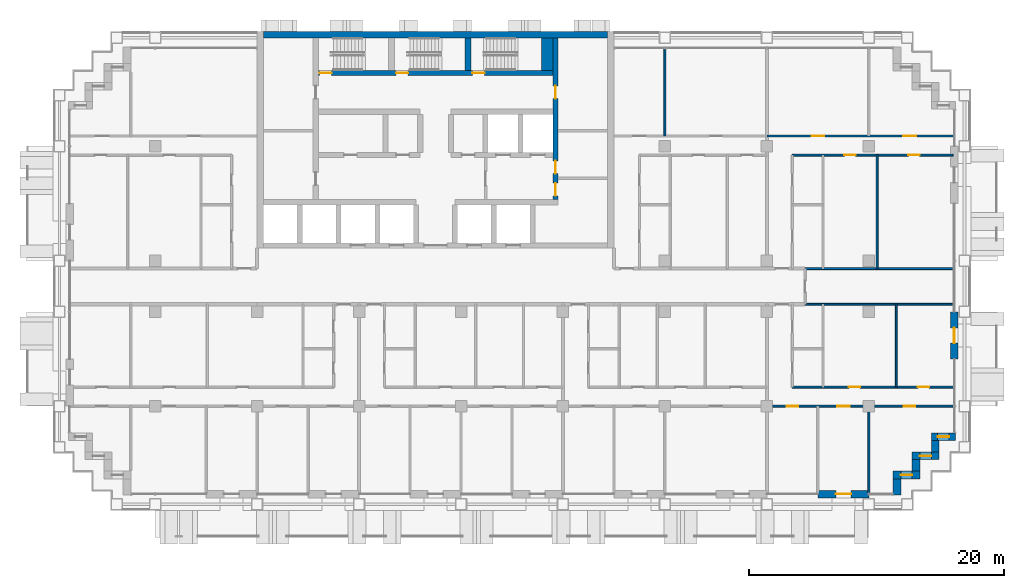
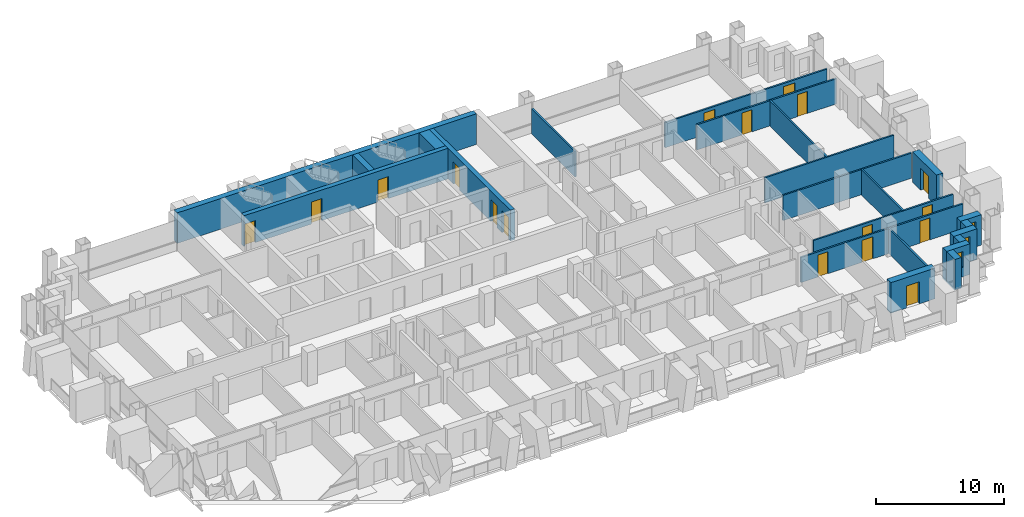
# One storey, part 13 of 18: 23 walls, 17 doors, 3 windows, 20 openings.
"""IFC4 building model written with IfcOpenShell, lengths in metres."""

from ifc_helpers import new_model, si_unit, direction, frame, frame_2d, origin, place, context, subcontext, project, spatial, rectangle, extrude, material, layer, layer_set, type_object, element, fill, save


model = new_model("IFC4")

# Units and contexts
model_context = context("Model", 3, precision=1e-05, world=origin(), true_north=direction((0.0, 1.0)))
body_context = subcontext(model_context, "Body", "Model", "MODEL_VIEW")
ifc_project = project(units=[si_unit("LENGTHUNIT", "METRE"), si_unit("AREAUNIT", "SQUARE_METRE"), si_unit("VOLUMEUNIT", "CUBIC_METRE"), si_unit("PLANEANGLEUNIT", "RADIAN"), si_unit("MASSUNIT", "GRAM", prefix="KILO")], contexts=[model_context])

# Site, building, storey
site_placement = place(None, origin())
site = spatial("IfcSite", under=ifc_project, at=site_placement, CompositionType="ELEMENT")
building_placement = place(site_placement, origin())
building = spatial("IfcBuilding", under=site, at=building_placement, Name="Vidyagriha Tower", CompositionType="ELEMENT")
storey_placement = place(building_placement, frame((0.0, 0.0, 80.699951171875)))
storey = spatial("IfcBuildingStorey", under=building, at=storey_placement, Name="L20", CompositionType="ELEMENT", Elevation=80.699951171875)

# Wall, opening, door
ifc_material_1 = material(Name="Precast concrete C40/50 with brick facing", Category="concrete")
ifc_layer_1 = layer(ifc_material_1, 0.60009765625)
ifc_layer_set_1 = layer_set([ifc_layer_1], Name="Precast concrete C40/50 with brick facing")
wall_type_1 = type_object("IfcWallType", Name="Brick-faced precast wall 600", PredefinedType="STANDARD", material=ifc_layer_set_1)
wall_1_placement = place(storey_placement, frame((30.0, -16.300048828125, 0.0)))
wall_1 = element("IfcWall", 1, at=wall_1_placement, inside=storey, type_object=wall_type_1, Name="Brick door bay wall L20 R23.15", PredefinedType="STANDARD", context=body_context, shape_type="SweptSolid", body=[
    extrude(rectangle(XDim=4.0, YDim=0.60009765625, at=frame_2d((2.0, 0.0))), origin(), (0.0, 0.0, 1.0), 2.920166015625),
])
opening_1_placement = place(wall_1_placement, frame((1.39990234375, 0.0, 0.0)))
opening_1 = element("IfcOpeningElement", 2, at=opening_1_placement, cuts=wall_1, Name="Opening D20-82", PredefinedType="OPENING", context=body_context, shape_type="SweptSolid", body=[
    extrude(rectangle(XDim=1.199951171875, YDim=2.10009765625, at=frame_2d((0.60009765625, 1.050048828125))), frame((0.0, 0.31005859375, 0.0), z_axis=(0.0, -1.0, 0.0), x_axis=(1.0, 0.0, 0.0)), (0.0, 0.0, 1.0), 0.6201171875),
])
ifc_material_2 = material(Name="Aluminium framed glazed sliding door", Category="aluminium")
door_type_1 = type_object("IfcDoorType", Name="Balcony sliding door 1200x2100", OperationType="NOTDEFINED", PredefinedType="DOOR", material=ifc_material_2)
door_1_placement = place(opening_1_placement, origin())
door_1 = element("IfcDoor", 3, at=door_1_placement, inside=storey, type_object=door_type_1, Name="Door D20-82", OperationType="SLIDING_TO_LEFT", OverallHeight=2.10009765625, OverallWidth=1.199951171875, PredefinedType="DOOR", context=body_context, shape_type="SweptSolid", body=[
    extrude(rectangle(XDim=1.199951171875, YDim=2.10009765625, at=frame_2d((0.60009765625, 1.050048828125))), frame((0.0, 0.02490234375, 0.0), z_axis=(0.0, -1.0, 0.0), x_axis=(1.0, 0.0, 0.0)), (0.0, 0.0, 1.0), 0.050048828125),
])
fill(opening_1, door_1)

# Wall
wall_2_placement = place(storey_placement, frame((36.199951171875, -16.3798828125, 0.0), z_axis=(0.0, 0.0, 1.0), x_axis=(0.0, 1.0, 0.0)))
element("IfcWall", 4, at=wall_2_placement, inside=storey, type_object=wall_type_1, Name="Stepped corner wall L20 R24", PredefinedType="STANDARD", context=body_context, shape_type="SweptSolid", body=[
    extrude(rectangle(XDim=1.27978515625, YDim=0.60009765625, at=frame_2d((0.639892578125, 0.0))), origin(), (0.0, 0.0, 1.0), 2.920166015625),
])

# Wall, opening, window
wall_3_placement = place(storey_placement, frame((35.89990234375, -14.800048828125, 0.0)))
wall_3 = element("IfcWall", 5, at=wall_3_placement, inside=storey, type_object=wall_type_1, Name="Stepped corner wall L20 R25", PredefinedType="STANDARD", context=body_context, shape_type="SweptSolid", body=[
    extrude(rectangle(XDim=2.10009765625, YDim=0.60009765625, at=frame_2d((1.050048828125, 0.0))), origin(), (0.0, 0.0, 1.0), 2.920166015625),
])
opening_2_placement = place(wall_3_placement, frame((0.60009765625, 0.0, 0.89990234375)))
opening_2 = element("IfcOpeningElement", 6, at=opening_2_placement, cuts=wall_3, Name="Opening WN1", PredefinedType="OPENING", context=body_context, shape_type="SweptSolid", body=[
    extrude(rectangle(XDim=0.89990234375, YDim=1.5, at=frame_2d((0.449951171875, 0.75))), frame((0.0, 0.31005859375, 0.0), z_axis=(0.0, -1.0, 0.0), x_axis=(1.0, 0.0, 0.0)), (0.0, 0.0, 1.0), 0.6201171875),
])
ifc_material_3 = material(Name="Aluminium and glass window", Category="aluminium")
window_type = type_object("IfcWindowType", Name="Reveal window 900x1500", PartitioningType="NOTDEFINED", PredefinedType="WINDOW", material=ifc_material_3)
window_1_placement = place(opening_2_placement, origin())
window_1 = element("IfcWindow", 7, at=window_1_placement, inside=storey, type_object=window_type, Name="Reveal window L20 R25", OverallHeight=1.5, OverallWidth=0.89990234375, PartitioningType="SINGLE_PANEL", PredefinedType="WINDOW", context=body_context, shape_type="SweptSolid", body=[
    extrude(rectangle(XDim=0.89990234375, YDim=1.5, at=frame_2d((0.449951171875, 0.75))), frame((0.0, 0.030029296875, 0.0), z_axis=(0.0, -1.0, 0.0), x_axis=(1.0, 0.0, 0.0)), (0.0, 0.0, 1.0), 0.06005859375),
])
fill(opening_2, window_1)

# Wall
wall_4_placement = place(storey_placement, frame((37.699951171875, -14.5, 0.0), z_axis=(0.0, 0.0, 1.0), x_axis=(0.0, 1.0, 0.0)))
element("IfcWall", 8, at=wall_4_placement, inside=storey, type_object=wall_type_1, Name="Stepped corner wall L20 R26", PredefinedType="STANDARD", context=body_context, shape_type="SweptSolid", body=[
    extrude(rectangle(XDim=0.89990234375, YDim=0.60009765625, at=frame_2d((0.449951171875, 0.0))), origin(), (0.0, 0.0, 1.0), 2.920166015625),
])

# Wall, opening, window
wall_5_placement = place(storey_placement, frame((37.39990234375, -13.300048828125, 0.0)))
wall_5 = element("IfcWall", 9, at=wall_5_placement, inside=storey, type_object=wall_type_1, Name="Stepped corner wall L20 R27", PredefinedType="STANDARD", context=body_context, shape_type="SweptSolid", body=[
    extrude(rectangle(XDim=2.10009765625, YDim=0.60009765625, at=frame_2d((1.050048828125, 0.0))), origin(), (0.0, 0.0, 1.0), 2.920166015625),
])
opening_3_placement = place(wall_5_placement, frame((0.60009765625, 0.0, 0.89990234375)))
opening_3 = element("IfcOpeningElement", 10, at=opening_3_placement, cuts=wall_5, Name="Opening WN1", PredefinedType="OPENING", context=body_context, shape_type="SweptSolid", body=[
    extrude(rectangle(XDim=0.89990234375, YDim=1.5, at=frame_2d((0.449951171875, 0.75))), frame((0.0, 0.31005859375, 0.0), z_axis=(0.0, -1.0, 0.0), x_axis=(1.0, 0.0, 0.0)), (0.0, 0.0, 1.0), 0.6201171875),
])
window_2_placement = place(opening_3_placement, origin())
window_2 = element("IfcWindow", 11, at=window_2_placement, inside=storey, type_object=window_type, Name="Reveal window L20 R27", OverallHeight=1.5, OverallWidth=0.89990234375, PartitioningType="SINGLE_PANEL", PredefinedType="WINDOW", context=body_context, shape_type="SweptSolid", body=[
    extrude(rectangle(XDim=0.89990234375, YDim=1.5, at=frame_2d((0.449951171875, 0.75))), frame((0.0, 0.030029296875, 0.0), z_axis=(0.0, -1.0, 0.0), x_axis=(1.0, 0.0, 0.0)), (0.0, 0.0, 1.0), 0.06005859375),
])
fill(opening_3, window_2)

# Wall
wall_6_placement = place(storey_placement, frame((39.199951171875, -13.0, 0.0), z_axis=(0.0, 0.0, 1.0), x_axis=(0.0, 1.0, 0.0)))
element("IfcWall", 12, at=wall_6_placement, inside=storey, type_object=wall_type_1, Name="Stepped corner wall L20 R28", PredefinedType="STANDARD", context=body_context, shape_type="SweptSolid", body=[
    extrude(rectangle(XDim=0.89990234375, YDim=0.60009765625, at=frame_2d((0.449951171875, 0.0))), origin(), (0.0, 0.0, 1.0), 2.920166015625),
])

# Wall, opening, window
wall_7_placement = place(storey_placement, frame((38.89990234375, -11.800048828125, 0.0)))
wall_7 = element("IfcWall", 13, at=wall_7_placement, inside=storey, type_object=wall_type_1, Name="Stepped corner wall L20 R29", PredefinedType="STANDARD", context=body_context, shape_type="SweptSolid", body=[
    extrude(rectangle(XDim=1.880126953125, YDim=0.60009765625, at=frame_2d((0.93994140625, 0.0))), origin(), (0.0, 0.0, 1.0), 2.920166015625),
])
opening_4_placement = place(wall_7_placement, frame((0.489990234375, 0.0, 0.89990234375)))
opening_4 = element("IfcOpeningElement", 14, at=opening_4_placement, cuts=wall_7, Name="Opening WN1", PredefinedType="OPENING", context=body_context, shape_type="SweptSolid", body=[
    extrude(rectangle(XDim=0.89990234375, YDim=1.5, at=frame_2d((0.449951171875, 0.75))), frame((0.0, 0.31005859375, 0.0), z_axis=(0.0, -1.0, 0.0), x_axis=(1.0, 0.0, 0.0)), (0.0, 0.0, 1.0), 0.6201171875),
])
window_3_placement = place(opening_4_placement, origin())
window_3 = element("IfcWindow", 15, at=window_3_placement, inside=storey, type_object=window_type, Name="Reveal window L20 R29", OverallHeight=1.5, OverallWidth=0.89990234375, PartitioningType="SINGLE_PANEL", PredefinedType="WINDOW", context=body_context, shape_type="SweptSolid", body=[
    extrude(rectangle(XDim=0.89990234375, YDim=1.5, at=frame_2d((0.449951171875, 0.75))), frame((0.0, 0.030029296875, 0.0), z_axis=(0.0, -1.0, 0.0), x_axis=(1.0, 0.0, 0.0)), (0.0, 0.0, 1.0), 0.06005859375),
])
fill(opening_4, window_3)

# Wall, opening, door
wall_8_placement = place(storey_placement, frame((40.699951171875, -5.699951171875, 0.0), z_axis=(0.0, 0.0, 1.0), x_axis=(0.0, 1.0, 0.0)))
wall_8 = element("IfcWall", 16, at=wall_8_placement, inside=storey, type_object=wall_type_1, Name="Brick door bay wall L20 R30.3", PredefinedType="STANDARD", context=body_context, shape_type="SweptSolid", body=[
    extrude(rectangle(XDim=3.699951171875, YDim=0.60009765625, at=frame_2d((1.85009765625, 0.0))), origin(), (0.0, 0.0, 1.0), 2.920166015625),
])
opening_5_placement = place(wall_8_placement, frame((1.25, 0.0, 0.0)))
opening_5 = element("IfcOpeningElement", 17, at=opening_5_placement, cuts=wall_8, Name="Opening D20-83", PredefinedType="OPENING", context=body_context, shape_type="SweptSolid", body=[
    extrude(rectangle(XDim=1.199951171875, YDim=2.10009765625, at=frame_2d((0.60009765625, 1.050048828125))), frame((0.0, 0.31005859375, 0.0), z_axis=(0.0, -1.0, 0.0), x_axis=(1.0, 0.0, 0.0)), (0.0, 0.0, 1.0), 0.6201171875),
])
door_2_placement = place(opening_5_placement, origin())
door_2 = element("IfcDoor", 18, at=door_2_placement, inside=storey, type_object=door_type_1, Name="Door D20-83", OperationType="SLIDING_TO_LEFT", OverallHeight=2.10009765625, OverallWidth=1.199951171875, PredefinedType="DOOR", context=body_context, shape_type="SweptSolid", body=[
    extrude(rectangle(XDim=1.199951171875, YDim=2.10009765625, at=frame_2d((0.60009765625, 1.050048828125))), frame((0.0, 0.02490234375, 0.0), z_axis=(0.0, -1.0, 0.0), x_axis=(1.0, 0.0, 0.0)), (0.0, 0.0, 1.0), 0.050048828125),
])
fill(opening_5, door_2)

# Wall, openings, doors
ifc_material_4 = material(Name="Concrete C60/75", Category="concrete")
ifc_layer_2 = layer(ifc_material_4, 0.39990234375)
ifc_layer_set_2 = layer_set([ifc_layer_2], Name="Concrete C60/75")
wall_type_2 = type_object("IfcWallType", Name="Core shear wall 400 mm", PredefinedType="SHEAR", material=ifc_layer_set_2)
wall_9_placement = place(storey_placement, frame((9.39990234375, 6.800048828125, 0.0), z_axis=(0.0, 0.0, 1.0), x_axis=(0.0, 1.0, 0.0)))
wall_9 = element("IfcWall", 19, at=wall_9_placement, inside=storey, type_object=wall_type_2, Name="Core east spine wall", PredefinedType="SHEAR", context=body_context, shape_type="SweptSolid", body=[
    extrude(rectangle(XDim=12.699951171875, YDim=0.39990234375, at=frame_2d((6.35009765625, 0.0))), origin(), (0.0, 0.0, 1.0), 2.920166015625),
])
opening_6_placement = place(wall_9_placement, frame((0.300048828125, 0.0, 0.0)))
opening_6 = element("IfcOpeningElement", 20, at=opening_6_placement, cuts=wall_9, Name="Opening D20-11", PredefinedType="OPENING", context=body_context, shape_type="SweptSolid", body=[
    extrude(rectangle(XDim=1.0, YDim=2.10009765625, at=frame_2d((0.5, 1.050048828125))), frame((0.0, 0.2099609375, 0.0), z_axis=(0.0, -1.0, 0.0), x_axis=(1.0, 0.0, 0.0)), (0.0, 0.0, 1.0), 0.419921875),
])
opening_7_placement = place(wall_9_placement, frame((2.050048828125, 0.0, 0.0)))
opening_7 = element("IfcOpeningElement", 21, at=opening_7_placement, cuts=wall_9, Name="Opening D20-12", PredefinedType="OPENING", context=body_context, shape_type="SweptSolid", body=[
    extrude(rectangle(XDim=1.0, YDim=2.10009765625, at=frame_2d((0.5, 1.050048828125))), frame((0.0, 0.2099609375, 0.0), z_axis=(0.0, -1.0, 0.0), x_axis=(1.0, 0.0, 0.0)), (0.0, 0.0, 1.0), 0.419921875),
])
opening_8_placement = place(wall_9_placement, frame((7.925048828125, 0.0, 0.0)))
opening_8 = element("IfcOpeningElement", 22, at=opening_8_placement, cuts=wall_9, Name="Opening D20-13", PredefinedType="OPENING", context=body_context, shape_type="SweptSolid", body=[
    extrude(rectangle(XDim=1.0, YDim=2.10009765625, at=frame_2d((0.5, 1.050048828125))), frame((0.0, 0.2099609375, 0.0), z_axis=(0.0, -1.0, 0.0), x_axis=(1.0, 0.0, 0.0)), (0.0, 0.0, 1.0), 0.419921875),
])
ifc_material_5 = material(Name="Hollow metal door leaf")
door_type_2 = type_object("IfcDoorType", Name="Core room door 1000 x 2100 mm EI 60", OperationType="NOTDEFINED", PredefinedType="DOOR", material=ifc_material_5)
door_3_placement = place(opening_6_placement, origin())
door_3 = element("IfcDoor", 23, at=door_3_placement, inside=storey, type_object=door_type_2, Name="Door Mechanical Riser Room 20.E1", OperationType="SINGLE_SWING_RIGHT", OverallHeight=2.10009765625, OverallWidth=1.0, PredefinedType="DOOR", context=body_context, shape_type="SweptSolid", body=[
    extrude(rectangle(XDim=1.0, YDim=2.10009765625, at=frame_2d((0.5, 1.050048828125))), frame((0.0, 0.02490234375, 0.0), z_axis=(0.0, -1.0, 0.0), x_axis=(1.0, 0.0, 0.0)), (0.0, 0.0, 1.0), 0.050048828125),
])
fill(opening_6, door_3)
door_4_placement = place(opening_7_placement, origin())
door_4 = element("IfcDoor", 24, at=door_4_placement, inside=storey, type_object=door_type_2, Name="Door Electrical Room 20.E2", OperationType="SINGLE_SWING_LEFT", OverallHeight=2.10009765625, OverallWidth=1.0, PredefinedType="DOOR", context=body_context, shape_type="SweptSolid", body=[
    extrude(rectangle(XDim=1.0, YDim=2.10009765625, at=frame_2d((0.5, 1.050048828125))), frame((0.0, 0.02490234375, 0.0), z_axis=(0.0, -1.0, 0.0), x_axis=(1.0, 0.0, 0.0)), (0.0, 0.0, 1.0), 0.050048828125),
])
fill(opening_7, door_4)
door_5_placement = place(opening_8_placement, origin())
door_5 = element("IfcDoor", 25, at=door_5_placement, inside=storey, type_object=door_type_2, Name="Door Refuse Room 20.E3", OperationType="SINGLE_SWING_LEFT", OverallHeight=2.10009765625, OverallWidth=1.0, PredefinedType="DOOR", context=body_context, shape_type="SweptSolid", body=[
    extrude(rectangle(XDim=1.0, YDim=2.10009765625, at=frame_2d((0.5, 1.050048828125))), frame((0.0, 0.02490234375, 0.0), z_axis=(0.0, -1.0, 0.0), x_axis=(1.0, 0.0, 0.0)), (0.0, 0.0, 1.0), 0.050048828125),
])
fill(opening_8, door_5)

wall_10_placement = place(storey_placement, frame((-9.199951171875, 16.75, 0.0)))
wall_10 = element("IfcWall", 26, at=wall_10_placement, inside=storey, type_object=wall_type_2, Name="Stair front wall", PredefinedType="SHEAR", context=body_context, shape_type="SweptSolid", body=[
    extrude(rectangle(XDim=18.39990234375, YDim=0.39990234375, at=frame_2d((9.199951171875, 0.0))), origin(), (0.0, 0.0, 1.0), 2.920166015625),
])
opening_9_placement = place(wall_10_placement, frame((0.10009765625, 0.0, 0.0)))
opening_9 = element("IfcOpeningElement", 27, at=opening_9_placement, cuts=wall_10, Name="Opening D20-06", PredefinedType="OPENING", context=body_context, shape_type="SweptSolid", body=[
    extrude(rectangle(XDim=0.949951171875, YDim=2.10009765625, at=frame_2d((0.47509765625, 1.050048828125))), frame((0.0, 0.2099609375, 0.0), z_axis=(0.0, -1.0, 0.0), x_axis=(1.0, 0.0, 0.0)), (0.0, 0.0, 1.0), 0.419921875),
])
opening_10_placement = place(wall_10_placement, frame((6.10009765625, 0.0, 0.0)))
opening_10 = element("IfcOpeningElement", 28, at=opening_10_placement, cuts=wall_10, Name="Opening D20-07", PredefinedType="OPENING", context=body_context, shape_type="SweptSolid", body=[
    extrude(rectangle(XDim=0.949951171875, YDim=2.10009765625, at=frame_2d((0.47509765625, 1.050048828125))), frame((0.0, 0.2099609375, 0.0), z_axis=(0.0, -1.0, 0.0), x_axis=(1.0, 0.0, 0.0)), (0.0, 0.0, 1.0), 0.419921875),
])
opening_11_placement = place(wall_10_placement, frame((12.10009765625, 0.0, 0.0)))
opening_11 = element("IfcOpeningElement", 29, at=opening_11_placement, cuts=wall_10, Name="Opening D20-08", PredefinedType="OPENING", context=body_context, shape_type="SweptSolid", body=[
    extrude(rectangle(XDim=0.949951171875, YDim=2.10009765625, at=frame_2d((0.47509765625, 1.050048828125))), frame((0.0, 0.2099609375, 0.0), z_axis=(0.0, -1.0, 0.0), x_axis=(1.0, 0.0, 0.0)), (0.0, 0.0, 1.0), 0.419921875),
])
ifc_material_6 = material(Name="Hollow metal door leaf")
door_type_3 = type_object("IfcDoorType", Name="Exit stair door 950 x 2100 mm EI 90", OperationType="NOTDEFINED", PredefinedType="DOOR", material=ifc_material_6)
door_6_placement = place(opening_9_placement, origin())
door_6 = element("IfcDoor", 30, at=door_6_placement, inside=storey, type_object=door_type_3, Name="Stair door ST1 L20", OperationType="SINGLE_SWING_LEFT", OverallHeight=2.10009765625, OverallWidth=0.949951171875, PredefinedType="DOOR", context=body_context, shape_type="SweptSolid", body=[
    extrude(rectangle(XDim=0.949951171875, YDim=2.10009765625, at=frame_2d((0.47509765625, 1.050048828125))), frame((0.0, 0.02490234375, 0.0), z_axis=(0.0, -1.0, 0.0), x_axis=(1.0, 0.0, 0.0)), (0.0, 0.0, 1.0), 0.050048828125),
])
fill(opening_9, door_6)
door_7_placement = place(opening_10_placement, origin())
door_7 = element("IfcDoor", 31, at=door_7_placement, inside=storey, type_object=door_type_3, Name="Stair door ST2 L20", OperationType="SINGLE_SWING_LEFT", OverallHeight=2.10009765625, OverallWidth=0.949951171875, PredefinedType="DOOR", context=body_context, shape_type="SweptSolid", body=[
    extrude(rectangle(XDim=0.949951171875, YDim=2.10009765625, at=frame_2d((0.47509765625, 1.050048828125))), frame((0.0, 0.02490234375, 0.0), z_axis=(0.0, -1.0, 0.0), x_axis=(1.0, 0.0, 0.0)), (0.0, 0.0, 1.0), 0.050048828125),
])
fill(opening_10, door_7)
door_8_placement = place(opening_11_placement, origin())
door_8 = element("IfcDoor", 32, at=door_8_placement, inside=storey, type_object=door_type_3, Name="Stair door ST3 L20", OperationType="SINGLE_SWING_LEFT", OverallHeight=2.10009765625, OverallWidth=0.949951171875, PredefinedType="DOOR", context=body_context, shape_type="SweptSolid", body=[
    extrude(rectangle(XDim=0.949951171875, YDim=2.10009765625, at=frame_2d((0.47509765625, 1.050048828125))), frame((0.0, 0.02490234375, 0.0), z_axis=(0.0, -1.0, 0.0), x_axis=(1.0, 0.0, 0.0)), (0.0, 0.0, 1.0), 0.050048828125),
])
fill(opening_11, door_8)

# Walls
ifc_material_7 = material(Name="Concrete C60/75", Category="concrete")
ifc_layer_3 = layer(ifc_material_7, 0.5)
ifc_layer_set_3 = layer_set([ifc_layer_3], Name="Concrete C60/75")
wall_type_3 = type_object("IfcWallType", Name="Core shear wall 500 mm", PredefinedType="SHEAR", material=ifc_layer_set_3)
wall_11_placement = place(storey_placement, frame((-13.5, 19.75, 0.0)))
element("IfcWall", 33, at=wall_11_placement, inside=storey, type_object=wall_type_3, Name="Core north wall", PredefinedType="SHEAR", context=body_context, shape_type="SweptSolid", body=[
    extrude(rectangle(XDim=27.0, YDim=0.5, at=frame_2d((13.5, 0.0))), origin(), (0.0, 0.0, 1.0), 2.920166015625),
])
wall_12_placement = place(storey_placement, frame((2.550048828125, 16.949951171875, 0.0), z_axis=(0.0, 0.0, 1.0), x_axis=(0.0, 1.0, 0.0)))
element("IfcWall", 34, at=wall_12_placement, inside=storey, type_object=wall_type_3, Name="Stair partition wall 2", PredefinedType="SHEAR", context=body_context, shape_type="SweptSolid", body=[
    extrude(rectangle(XDim=2.550048828125, YDim=0.5, at=frame_2d((1.27490234375, 0.0))), origin(), (0.0, 0.0, 1.0), 2.920166015625),
])
ifc_material_8 = material(Name="Concrete C60/75", Category="concrete")
ifc_layer_4 = layer(ifc_material_8, 0.89990234375)
ifc_layer_set_4 = layer_set([ifc_layer_4], Name="Concrete C60/75")
wall_type_4 = type_object("IfcWallType", Name="Core shear wall 900 mm", PredefinedType="SHEAR", material=ifc_layer_set_4)
wall_13_placement = place(storey_placement, frame((8.75, 16.949951171875, 0.0), z_axis=(0.0, 0.0, 1.0), x_axis=(0.0, 1.0, 0.0)))
element("IfcWall", 35, at=wall_13_placement, inside=storey, type_object=wall_type_4, Name="Stair end wall", PredefinedType="SHEAR", context=body_context, shape_type="SweptSolid", body=[
    extrude(rectangle(XDim=2.550048828125, YDim=0.89990234375, at=frame_2d((1.27490234375, 0.0))), origin(), (0.0, 0.0, 1.0), 2.920166015625),
])
ifc_material_9 = material(Name="Gypsum board partition")
ifc_layer_5 = layer(ifc_material_9, 0.14990234375)
ifc_layer_set_5 = layer_set([ifc_layer_5], Name="Gypsum board partition")
wall_type_5 = type_object("IfcWallType", Name="Gypsum board partition 150", PredefinedType="PARTITIONING", material=ifc_layer_set_5)
wall_14_placement = place(storey_placement, frame((36.14990234375, -1.39990234375, 0.0), z_axis=(0.0, 0.0, 1.0), x_axis=(0.0, -1.0, 0.0)))
element("IfcWall", 36, at=wall_14_placement, inside=storey, type_object=wall_type_5, Name="Wall all-L20-w068", PredefinedType="PARTITIONING", context=body_context, shape_type="SweptSolid", body=[
    extrude(rectangle(XDim=6.5, YDim=0.14990234375, at=frame_2d((3.25, 0.0))), origin(), (0.0, 0.0, 1.0), 2.400146484375),
])

# Wall, openings, doors
wall_15_placement = place(storey_placement, frame((28.0, -7.89990234375, 0.0)))
wall_15 = element("IfcWall", 37, at=wall_15_placement, inside=storey, type_object=wall_type_5, Name="Wall all-L20-w069", PredefinedType="PARTITIONING", context=body_context, shape_type="SweptSolid", body=[
    extrude(rectangle(XDim=12.6201171875, YDim=0.14990234375, at=frame_2d((6.31005859375, 0.0))), origin(), (0.0, 0.0, 1.0), 2.400146484375),
])
opening_12_placement = place(wall_15_placement, frame((4.410888671875, 0.0, 0.0)))
opening_12 = element("IfcOpeningElement", 38, at=opening_12_placement, cuts=wall_15, Name="Opening D20-46", PredefinedType="OPENING", context=body_context, shape_type="SweptSolid", body=[
    extrude(rectangle(XDim=0.89990234375, YDim=2.10009765625, at=frame_2d((0.449951171875, 1.050048828125))), frame((0.0, 0.0849609375, 0.0), z_axis=(0.0, -1.0, 0.0), x_axis=(1.0, 0.0, 0.0)), (0.0, 0.0, 1.0), 0.169921875),
])
opening_13_placement = place(wall_15_placement, frame((9.824951171875, 0.0, 0.0)))
opening_13 = element("IfcOpeningElement", 39, at=opening_13_placement, cuts=wall_15, Name="Opening D20-47", PredefinedType="OPENING", context=body_context, shape_type="SweptSolid", body=[
    extrude(rectangle(XDim=0.89990234375, YDim=2.10009765625, at=frame_2d((0.449951171875, 1.050048828125))), frame((0.0, 0.0849609375, 0.0), z_axis=(0.0, -1.0, 0.0), x_axis=(1.0, 0.0, 0.0)), (0.0, 0.0, 1.0), 0.169921875),
])
ifc_material_10 = material(Name="Timber door leaf", Category="wood")
door_type_4 = type_object("IfcDoorType", Name="Room door 900x2100", OperationType="NOTDEFINED", PredefinedType="DOOR", material=ifc_material_10)
door_9_placement = place(opening_12_placement, origin())
door_9 = element("IfcDoor", 40, at=door_9_placement, inside=storey, type_object=door_type_4, Name="Door D20-46", OperationType="SINGLE_SWING_LEFT", OverallHeight=2.10009765625, OverallWidth=0.89990234375, PredefinedType="DOOR", context=body_context, shape_type="SweptSolid", body=[
    extrude(rectangle(XDim=0.89990234375, YDim=2.10009765625, at=frame_2d((0.449951171875, 1.050048828125))), frame((0.0, 0.02490234375, 0.0), z_axis=(0.0, -1.0, 0.0), x_axis=(1.0, 0.0, 0.0)), (0.0, 0.0, 1.0), 0.050048828125),
])
fill(opening_12, door_9)
door_10_placement = place(opening_13_placement, origin())
door_10 = element("IfcDoor", 41, at=door_10_placement, inside=storey, type_object=door_type_4, Name="Door D20-47", OperationType="SINGLE_SWING_RIGHT", OverallHeight=2.10009765625, OverallWidth=0.89990234375, PredefinedType="DOOR", context=body_context, shape_type="SweptSolid", body=[
    extrude(rectangle(XDim=0.89990234375, YDim=2.10009765625, at=frame_2d((0.449951171875, 1.050048828125))), frame((0.0, 0.02490234375, 0.0), z_axis=(0.0, -1.0, 0.0), x_axis=(1.0, 0.0, 0.0)), (0.0, 0.0, 1.0), 0.050048828125),
])
fill(opening_13, door_10)

wall_16_placement = place(storey_placement, frame((40.6201171875, -9.39990234375, 0.0), z_axis=(0.0, 0.0, 1.0), x_axis=(-1.0, 0.0, 0.0)))
wall_16 = element("IfcWall", 42, at=wall_16_placement, inside=storey, type_object=wall_type_5, Name="Wall all-L20-w072", PredefinedType="PARTITIONING", context=body_context, shape_type="SweptSolid", body=[
    extrude(rectangle(XDim=14.6201171875, YDim=0.14990234375, at=frame_2d((7.31005859375, 0.0))), origin(), (0.0, 0.0, 1.0), 2.400146484375),
])
opening_14_placement = place(wall_16_placement, frame((12.169921875, 0.0, 0.0)))
opening_14 = element("IfcOpeningElement", 43, at=opening_14_placement, cuts=wall_16, Name="Opening D20-48", PredefinedType="OPENING", context=body_context, shape_type="SweptSolid", body=[
    extrude(rectangle(XDim=0.89990234375, YDim=2.10009765625, at=frame_2d((0.449951171875, 1.050048828125))), frame((0.0, 0.0849609375, 0.0), z_axis=(0.0, -1.0, 0.0), x_axis=(1.0, 0.0, 0.0)), (0.0, 0.0, 1.0), 0.169921875),
])
opening_15_placement = place(wall_16_placement, frame((8.1201171875, 0.0, 0.0)))
opening_15 = element("IfcOpeningElement", 44, at=opening_15_placement, cuts=wall_16, Name="Opening D20-49", PredefinedType="OPENING", context=body_context, shape_type="SweptSolid", body=[
    extrude(rectangle(XDim=1.0, YDim=2.10009765625, at=frame_2d((0.5, 1.050048828125))), frame((0.0, 0.0849609375, 0.0), z_axis=(0.0, -1.0, 0.0), x_axis=(1.0, 0.0, 0.0)), (0.0, 0.0, 1.0), 0.169921875),
])
opening_16_placement = place(wall_16_placement, frame((2.969970703125, 0.0, 0.0)))
opening_16 = element("IfcOpeningElement", 45, at=opening_16_placement, cuts=wall_16, Name="Opening D20-50", PredefinedType="OPENING", context=body_context, shape_type="SweptSolid", body=[
    extrude(rectangle(XDim=0.89990234375, YDim=2.10009765625, at=frame_2d((0.449951171875, 1.050048828125))), frame((0.0, 0.0849609375, 0.0), z_axis=(0.0, -1.0, 0.0), x_axis=(1.0, 0.0, 0.0)), (0.0, 0.0, 1.0), 0.169921875),
])
ifc_material_11 = material(Name="Timber door leaf", Category="wood")
door_type_5 = type_object("IfcDoorType", Name="Room door 1000x2100", OperationType="NOTDEFINED", PredefinedType="DOOR", material=ifc_material_11)
door_11_placement = place(opening_15_placement, origin())
door_11 = element("IfcDoor", 46, at=door_11_placement, inside=storey, type_object=door_type_5, Name="Door D20-49", OperationType="SINGLE_SWING_RIGHT", OverallHeight=2.10009765625, OverallWidth=1.0, PredefinedType="DOOR", context=body_context, shape_type="SweptSolid", body=[
    extrude(rectangle(XDim=1.0, YDim=2.10009765625, at=frame_2d((0.5, 1.050048828125))), frame((0.0, 0.02490234375, 0.0), z_axis=(0.0, -1.0, 0.0), x_axis=(1.0, 0.0, 0.0)), (0.0, 0.0, 1.0), 0.050048828125),
])
fill(opening_15, door_11)
door_12_placement = place(opening_14_placement, origin())
door_12 = element("IfcDoor", 47, at=door_12_placement, inside=storey, type_object=door_type_4, Name="Door D20-48", OperationType="SINGLE_SWING_RIGHT", OverallHeight=2.10009765625, OverallWidth=0.89990234375, PredefinedType="DOOR", context=body_context, shape_type="SweptSolid", body=[
    extrude(rectangle(XDim=0.89990234375, YDim=2.10009765625, at=frame_2d((0.449951171875, 1.050048828125))), frame((0.0, 0.02490234375, 0.0), z_axis=(0.0, -1.0, 0.0), x_axis=(1.0, 0.0, 0.0)), (0.0, 0.0, 1.0), 0.050048828125),
])
fill(opening_14, door_12)
door_13_placement = place(opening_16_placement, origin())
door_13 = element("IfcDoor", 48, at=door_13_placement, inside=storey, type_object=door_type_4, Name="Door D20-50", OperationType="SINGLE_SWING_LEFT", OverallHeight=2.10009765625, OverallWidth=0.89990234375, PredefinedType="DOOR", context=body_context, shape_type="SweptSolid", body=[
    extrude(rectangle(XDim=0.89990234375, YDim=2.10009765625, at=frame_2d((0.449951171875, 1.050048828125))), frame((0.0, 0.02490234375, 0.0), z_axis=(0.0, -1.0, 0.0), x_axis=(1.0, 0.0, 0.0)), (0.0, 0.0, 1.0), 0.050048828125),
])
fill(opening_16, door_13)

# Walls
wall_17_placement = place(storey_placement, frame((34.0, -9.39990234375, 0.0), z_axis=(0.0, 0.0, 1.0), x_axis=(0.0, -1.0, 0.0)))
element("IfcWall", 49, at=wall_17_placement, inside=storey, type_object=wall_type_5, Name="Wall all-L20-w077", PredefinedType="PARTITIONING", context=body_context, shape_type="SweptSolid", body=[
    extrude(rectangle(XDim=6.81005859375, YDim=0.14990234375, at=frame_2d((3.405029296875, 0.0))), origin(), (0.0, 0.0, 1.0), 2.400146484375),
])
wall_18_placement = place(storey_placement, frame((40.6201171875, -1.39990234375, 0.0), z_axis=(0.0, 0.0, 1.0), x_axis=(-1.0, 0.0, 0.0)))
element("IfcWall", 50, at=wall_18_placement, inside=storey, type_object=wall_type_5, Name="Wall all-L20-w082", PredefinedType="PARTITIONING", context=body_context, shape_type="SweptSolid", body=[
    extrude(rectangle(XDim=11.6201171875, YDim=0.14990234375, at=frame_2d((5.81005859375, 0.0))), origin(), (0.0, 0.0, 1.0), 2.400146484375),
])
wall_19_placement = place(storey_placement, frame((18.0, 18.62109375, 0.0), z_axis=(0.0, 0.0, 1.0), x_axis=(0.0, -1.0, 0.0)))
element("IfcWall", 51, at=wall_19_placement, inside=storey, type_object=wall_type_5, Name="Wall all-L20-w110", PredefinedType="PARTITIONING", context=body_context, shape_type="SweptSolid", body=[
    extrude(rectangle(XDim=6.821044921875, YDim=0.14990234375, at=frame_2d((3.41064453125, 0.0))), origin(), (0.0, 0.0, 1.0), 2.400146484375),
])
wall_20_placement = place(storey_placement, frame((34.64990234375, 10.300048828125, 0.0), z_axis=(0.0, 0.0, 1.0), x_axis=(0.0, -1.0, 0.0)))
element("IfcWall", 52, at=wall_20_placement, inside=storey, type_object=wall_type_5, Name="Wall all-L20-w117", PredefinedType="PARTITIONING", context=body_context, shape_type="SweptSolid", body=[
    extrude(rectangle(XDim=8.900146484375, YDim=0.14990234375, at=frame_2d((4.4501953125, 0.0))), origin(), (0.0, 0.0, 1.0), 2.400146484375),
])

# Wall, openings, doors
wall_21_placement = place(storey_placement, frame((40.610107421875, 10.300048828125, 0.0), z_axis=(0.0, 0.0, 1.0), x_axis=(-1.0, 0.0, 0.0)))
wall_21 = element("IfcWall", 53, at=wall_21_placement, inside=storey, type_object=wall_type_5, Name="Wall all-L20-w118", PredefinedType="PARTITIONING", context=body_context, shape_type="SweptSolid", body=[
    extrude(rectangle(XDim=12.610107421875, YDim=0.14990234375, at=frame_2d((6.30517578125, 0.0))), origin(), (0.0, 0.0, 1.0), 2.400146484375),
])
opening_17_placement = place(wall_21_placement, frame((7.635009765625, 0.0, 0.0)))
opening_17 = element("IfcOpeningElement", 54, at=opening_17_placement, cuts=wall_21, Name="Opening D20-68", PredefinedType="OPENING", context=body_context, shape_type="SweptSolid", body=[
    extrude(rectangle(XDim=0.89990234375, YDim=2.10009765625, at=frame_2d((0.449951171875, 1.050048828125))), frame((0.0, 0.0849609375, 0.0), z_axis=(0.0, -1.0, 0.0), x_axis=(1.0, 0.0, 0.0)), (0.0, 0.0, 1.0), 0.169921875),
])
opening_18_placement = place(wall_21_placement, frame((2.635009765625, 0.0, 0.0)))
opening_18 = element("IfcOpeningElement", 55, at=opening_18_placement, cuts=wall_21, Name="Opening D20-69", PredefinedType="OPENING", context=body_context, shape_type="SweptSolid", body=[
    extrude(rectangle(XDim=0.89990234375, YDim=2.10009765625, at=frame_2d((0.449951171875, 1.050048828125))), frame((0.0, 0.0849609375, 0.0), z_axis=(0.0, -1.0, 0.0), x_axis=(1.0, 0.0, 0.0)), (0.0, 0.0, 1.0), 0.169921875),
])
door_14_placement = place(opening_17_placement, origin())
door_14 = element("IfcDoor", 56, at=door_14_placement, inside=storey, type_object=door_type_4, Name="Door D20-68", OperationType="SINGLE_SWING_RIGHT", OverallHeight=2.10009765625, OverallWidth=0.89990234375, PredefinedType="DOOR", context=body_context, shape_type="SweptSolid", body=[
    extrude(rectangle(XDim=0.89990234375, YDim=2.10009765625, at=frame_2d((0.449951171875, 1.050048828125))), frame((0.0, 0.02490234375, 0.0), z_axis=(0.0, -1.0, 0.0), x_axis=(1.0, 0.0, 0.0)), (0.0, 0.0, 1.0), 0.050048828125),
])
fill(opening_17, door_14)
door_15_placement = place(opening_18_placement, origin())
door_15 = element("IfcDoor", 57, at=door_15_placement, inside=storey, type_object=door_type_4, Name="Door D20-69", OperationType="SINGLE_SWING_RIGHT", OverallHeight=2.10009765625, OverallWidth=0.89990234375, PredefinedType="DOOR", context=body_context, shape_type="SweptSolid", body=[
    extrude(rectangle(XDim=0.89990234375, YDim=2.10009765625, at=frame_2d((0.449951171875, 1.050048828125))), frame((0.0, 0.02490234375, 0.0), z_axis=(0.0, -1.0, 0.0), x_axis=(1.0, 0.0, 0.0)), (0.0, 0.0, 1.0), 0.050048828125),
])
fill(opening_18, door_15)

wall_22_placement = place(storey_placement, frame((26.0, 11.800048828125, 0.0)))
wall_22 = element("IfcWall", 58, at=wall_22_placement, inside=storey, type_object=wall_type_5, Name="Wall all-L20-w121", PredefinedType="PARTITIONING", context=body_context, shape_type="SweptSolid", body=[
    extrude(rectangle(XDim=14.6201171875, YDim=0.14990234375, at=frame_2d((7.31005859375, 0.0))), origin(), (0.0, 0.0, 1.0), 2.400146484375),
])
opening_19_placement = place(wall_22_placement, frame((3.5, 0.0, 0.0)))
opening_19 = element("IfcOpeningElement", 59, at=opening_19_placement, cuts=wall_22, Name="Opening D20-70", PredefinedType="OPENING", context=body_context, shape_type="SweptSolid", body=[
    extrude(rectangle(XDim=1.0, YDim=2.10009765625, at=frame_2d((0.5, 1.050048828125))), frame((0.0, 0.0849609375, 0.0), z_axis=(0.0, -1.0, 0.0), x_axis=(1.0, 0.0, 0.0)), (0.0, 0.0, 1.0), 0.169921875),
])
opening_20_placement = place(wall_22_placement, frame((10.699951171875, 0.0, 0.0)))
opening_20 = element("IfcOpeningElement", 60, at=opening_20_placement, cuts=wall_22, Name="Opening D20-71", PredefinedType="OPENING", context=body_context, shape_type="SweptSolid", body=[
    extrude(rectangle(XDim=1.0, YDim=2.10009765625, at=frame_2d((0.5, 1.050048828125))), frame((0.0, 0.0849609375, 0.0), z_axis=(0.0, -1.0, 0.0), x_axis=(1.0, 0.0, 0.0)), (0.0, 0.0, 1.0), 0.169921875),
])
door_16_placement = place(opening_19_placement, origin())
door_16 = element("IfcDoor", 61, at=door_16_placement, inside=storey, type_object=door_type_5, Name="Door D20-70", OperationType="SINGLE_SWING_RIGHT", OverallHeight=2.10009765625, OverallWidth=1.0, PredefinedType="DOOR", context=body_context, shape_type="SweptSolid", body=[
    extrude(rectangle(XDim=1.0, YDim=2.10009765625, at=frame_2d((0.5, 1.050048828125))), frame((0.0, 0.02490234375, 0.0), z_axis=(0.0, -1.0, 0.0), x_axis=(1.0, 0.0, 0.0)), (0.0, 0.0, 1.0), 0.050048828125),
])
fill(opening_19, door_16)
door_17_placement = place(opening_20_placement, origin())
door_17 = element("IfcDoor", 62, at=door_17_placement, inside=storey, type_object=door_type_5, Name="Door D20-71", OperationType="SINGLE_SWING_RIGHT", OverallHeight=2.10009765625, OverallWidth=1.0, PredefinedType="DOOR", context=body_context, shape_type="SweptSolid", body=[
    extrude(rectangle(XDim=1.0, YDim=2.10009765625, at=frame_2d((0.5, 1.050048828125))), frame((0.0, 0.02490234375, 0.0), z_axis=(0.0, -1.0, 0.0), x_axis=(1.0, 0.0, 0.0)), (0.0, 0.0, 1.0), 0.050048828125),
])
fill(opening_20, door_17)

# Wall
wall_23_placement = place(storey_placement, frame((29.0, 1.39990234375, 0.0)))
element("IfcWall", 63, at=wall_23_placement, inside=storey, type_object=wall_type_5, Name="Wall all-L20-w128", PredefinedType="PARTITIONING", context=body_context, shape_type="SweptSolid", body=[
    extrude(rectangle(XDim=11.6201171875, YDim=0.14990234375, at=frame_2d((5.81005859375, 0.0))), origin(), (0.0, 0.0, 1.0), 2.400146484375),
])

save(model, "model.ifc")
